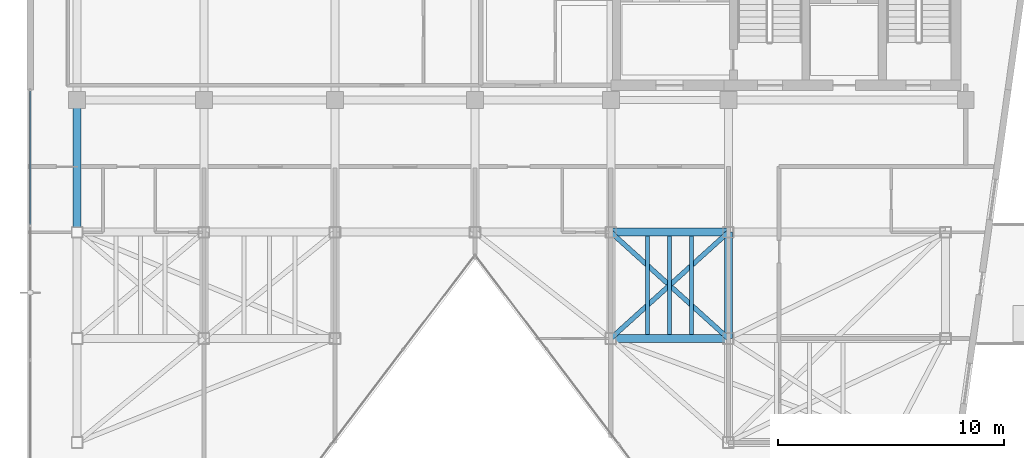
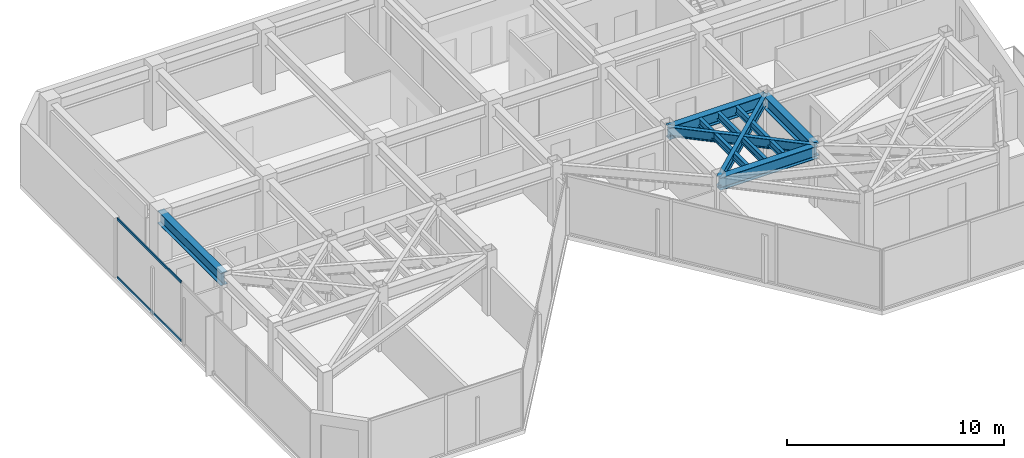
# One storey, part 11 of 19: 9 beams, 2 members, 1 element without a shape of its own.
"""IFC4 building model written with IfcOpenShell, lengths in metres."""

from ifc_helpers import new_model, si_unit, direction, frame, origin, origin_2d, place, context, subcontext, project, spatial, hollow_rectangle, i_section, extrude, material, layer, layer_set, material_profile, profile_set, type_object, element, aggregate, save


model = new_model("IFC4")

# Units and contexts
model_context = context("Model", 3, precision=1e-05, world=origin(), true_north=direction((0.0, 1.0)))
body_context = subcontext(model_context, "Body", "Model", "MODEL_VIEW")
ifc_project = project(units=[si_unit("LENGTHUNIT", "METRE"), si_unit("AREAUNIT", "SQUARE_METRE"), si_unit("VOLUMEUNIT", "CUBIC_METRE"), si_unit("PLANEANGLEUNIT", "RADIAN"), si_unit("MASSUNIT", "GRAM", prefix="KILO")], contexts=[model_context])

# Site, building, storey
site_placement = place(None, origin())
site = spatial("IfcSite", under=ifc_project, at=site_placement, CompositionType="ELEMENT")
building_placement = place(site_placement, origin())
building = spatial("IfcBuilding", under=site, at=building_placement, Name="Kravanh Interchange Tower", CompositionType="ELEMENT")
storey_placement = place(building_placement, frame((0.0, 0.0, 259.800048828125)))
storey = spatial("IfcBuildingStorey", under=building, at=storey_placement, Name="L63", CompositionType="ELEMENT", Elevation=259.800048828125)

# Curtain wall, members
ifc_material_1 = material(Name="Anodised Bronze Aluminium", Category="aluminium")
ifc_layer = layer(ifc_material_1, 0.179931640625)
ifc_layer_set = layer_set([ifc_layer], Name="Unitised Curtain Wall System CW-HTL Luxury Hotel")
curtain_wall_type = type_object("IfcCurtainWallType", Name="Unitised Curtain Wall System CW-HTL Luxury Hotel", PredefinedType="NOTDEFINED", material=ifc_layer_set)
curtain_wall_placement = place(storey_placement, origin())
curtain_wall = element("IfcCurtainWall", 1, at=curtain_wall_placement, inside=storey, type_object=curtain_wall_type, Name="L63 Unitised Curtain Wall CW-L63-01", PredefinedType="NOTDEFINED")
ifc_material_2 = material(Name="Anodised Bronze Aluminium", Category="aluminium")
ifc_material_profile_1 = material_profile(ifc_material_2, hollow_rectangle(XDim=0.06005859375, YDim=0.139892578125, WallThickness=0.00390625, at=origin_2d()), Name="ALU60X140X4")
ifc_profile_set_1 = profile_set([ifc_material_profile_1], Name="Anodised Bronze Aluminium")
member_type = type_object("IfcMemberType", Name="Curtain Wall Transom ALU60X140X4 Bronze", PredefinedType="USERDEFINED", material=ifc_profile_set_1)
member_1_placement = place(storey_placement, frame((25.1201171875, 31.8466796875, 0.030029296875), z_axis=(0.0, 1.0, 0.0), x_axis=(-1.0, 0.0, 0.0)))
member_1 = element("IfcMember", 2, at=member_1_placement, type_object=member_type, Name="CW-HTL transom 3.1", ObjectType="TRANSOM", PredefinedType="USERDEFINED", context=body_context, shape_type="SweptSolid", body=[
    extrude(hollow_rectangle(XDim=0.06005859375, YDim=0.139892578125, WallThickness=0.00390625, at=origin_2d()), origin(), (0.0, 0.0, 1.0), 5.893310546875),
])
member_2_placement = place(storey_placement, frame((25.1201171875, 31.8466796875, 3.320068359375), z_axis=(0.0, 1.0, 0.0), x_axis=(-1.0, 0.0, 0.0)))
member_2 = element("IfcMember", 3, at=member_2_placement, type_object=member_type, Name="CW-HTL transom 3.2", ObjectType="TRANSOM", PredefinedType="USERDEFINED", context=body_context, shape_type="SweptSolid", body=[
    extrude(hollow_rectangle(XDim=0.06005859375, YDim=0.139892578125, WallThickness=0.00390625, at=origin_2d()), origin(), (0.0, 0.0, 1.0), 5.893310546875),
])
aggregate(curtain_wall, [member_1, member_2])

# Beams
ifc_material_3 = material(Name="Structural Steel S355", Category="steel")
ifc_material_profile_2 = material_profile(ifc_material_3, i_section(OverallWidth=0.35498046875, OverallDepth=0.696044921875, WebThickness=0.015380859375, FlangeThickness=0.02490234375, FilletRadius=0.02392578125, at=origin_2d()), Name="W27X146")
ifc_profile_set_2 = profile_set([ifc_material_profile_2], Name="Structural Steel S355")
beam_type_1 = type_object("IfcBeamType", Name="Floor Beam W27X146 Structural Steel S355", PredefinedType="BEAM", material=ifc_profile_set_2)
beam_1_placement = place(storey_placement, frame((50.800048828125, 31.5, 3.001953125), z_axis=(1.0, 0.0, 0.0), x_axis=(0.0, 1.0, 0.0)))
element("IfcBeam", 4, at=beam_1_placement, inside=storey, type_object=beam_type_1, Name="L63 Primary Floor Girder 6", PredefinedType="BEAM", context=body_context, shape_type="SweptSolid", body=[
    extrude(i_section(OverallWidth=0.35498046875, OverallDepth=0.696044921875, WebThickness=0.015380859375, FlangeThickness=0.02490234375, FilletRadius=0.02392578125, at=origin_2d()), origin(), (0.0, 0.0, 1.0), 5.199951171875),
])
beam_2_placement = place(storey_placement, frame((56.0, 31.5, 3.001953125), z_axis=(0.0, -1.0, 0.0), x_axis=(1.0, 0.0, 0.0)))
element("IfcBeam", 5, at=beam_2_placement, inside=storey, type_object=beam_type_1, Name="L63 Primary Floor Girder 9", PredefinedType="BEAM", context=body_context, shape_type="SweptSolid", body=[
    extrude(i_section(OverallWidth=0.35498046875, OverallDepth=0.696044921875, WebThickness=0.015380859375, FlangeThickness=0.02490234375, FilletRadius=0.02392578125, at=origin_2d()), origin(), (0.0, 0.0, 1.0), 4.699951171875),
])
beam_3_placement = place(storey_placement, frame((27.199951171875, 31.5, 3.001953125), z_axis=(0.0, 1.0, 0.0), x_axis=(-1.0, 0.0, 0.0)))
element("IfcBeam", 6, at=beam_3_placement, inside=storey, type_object=beam_type_1, Name="L63 Primary Floor Girder 26", PredefinedType="BEAM", context=body_context, shape_type="SweptSolid", body=[
    extrude(i_section(OverallWidth=0.35498046875, OverallDepth=0.696044921875, WebThickness=0.015380859375, FlangeThickness=0.02490234375, FilletRadius=0.02392578125, at=origin_2d()), origin(), (0.0, 0.0, 1.0), 5.85009765625),
])
beam_4_placement = place(storey_placement, frame((50.800048828125, 26.800048828125, 3.001953125), z_axis=(1.0, 0.0, 0.0), x_axis=(0.0, 1.0, 0.0)))
element("IfcBeam", 7, at=beam_4_placement, inside=storey, type_object=beam_type_1, Name="L63 Primary Floor Girder 31", PredefinedType="BEAM", context=body_context, shape_type="SweptSolid", body=[
    extrude(i_section(OverallWidth=0.35498046875, OverallDepth=0.696044921875, WebThickness=0.015380859375, FlangeThickness=0.02490234375, FilletRadius=0.02392578125, at=origin_2d()), origin(), (0.0, 0.0, 1.0), 5.199951171875),
])
ifc_material_4 = material(Name="Structural Steel S355", Category="steel")
ifc_material_profile_3 = material_profile(ifc_material_4, i_section(OverallWidth=0.177978515625, OverallDepth=0.406005859375, WebThickness=0.0078125, FlangeThickness=0.0126953125, FilletRadius=0.01611328125, at=origin_2d()), Name="W16X40")
ifc_profile_set_3 = profile_set([ifc_material_profile_3], Name="Structural Steel S355")
beam_type_2 = type_object("IfcBeamType", Name="Floor Joist W16X40 Structural Steel S355", PredefinedType="JOIST", material=ifc_profile_set_3)
for number, where, z_axis, x_axis, name in (
    (8, (52.425048828125, 26.972412109375, 3.14697265625), (0.0, 1.0, 0.0), (-1.0, 0.0, 0.0), "L63 Secondary Floor Joist 10"),
    (9, (53.39990234375, 26.972412109375, 3.14697265625), (0.0, 1.0, 0.0), (-1.0, 0.0, 0.0), "L63 Secondary Floor Joist 11"),
    (10, (54.375, 26.972412109375, 3.14697265625), (0.0, 1.0, 0.0), (-1.0, 0.0, 0.0), "L63 Secondary Floor Joist 12"),
):
    element("IfcBeam", number, at=place(storey_placement, frame(where, z_axis=z_axis, x_axis=x_axis)), inside=storey, type_object=beam_type_2, Name=name, PredefinedType="JOIST", context=body_context, shape_type="SweptSolid", body=[
        extrude(i_section(OverallWidth=0.177978515625, OverallDepth=0.406005859375, WebThickness=0.0078125, FlangeThickness=0.0126953125, FilletRadius=0.01611328125, at=origin_2d()), origin(), (0.0, 0.0, 1.0), 4.35498046875),
    ])
ifc_material_5 = material(Name="Structural Steel S355", Category="steel")
ifc_material_profile_4 = material_profile(ifc_material_5, i_section(OverallWidth=0.2099609375, OverallDepth=0.537109375, WebThickness=0.010986328125, FlangeThickness=0.017333984375, FilletRadius=0.02001953125, at=origin_2d()), Name="W21X68")
ifc_profile_set_4 = profile_set([ifc_material_profile_4], Name="Structural Steel S355")
beam_type_3 = type_object("IfcBeamType", Name="Floor Spandrel W21X68 Structural Steel S355", PredefinedType="SPANDREL", material=ifc_profile_set_4)
for number, where, z_axis, x_axis, name in (
    (11, (50.800048828125, 31.5, 3.08154296875), (0.741874009795, -0.670539300557, 0.0), (0.670539300557, 0.741874009795, 0.0), "L63 Perimeter Spandrel 8"),
    (12, (56.0, 31.5, 3.08154296875), (-0.741874009795, -0.670539300557, 0.0), (0.670539300557, -0.741874009795, 0.0), "L63 Perimeter Spandrel 11"),
):
    element("IfcBeam", number, at=place(storey_placement, frame(where, z_axis=z_axis, x_axis=x_axis)), inside=storey, type_object=beam_type_3, Name=name, PredefinedType="SPANDREL", context=body_context, shape_type="SweptSolid", body=[
        extrude(i_section(OverallWidth=0.2099609375, OverallDepth=0.537109375, WebThickness=0.010986328125, FlangeThickness=0.017333984375, FilletRadius=0.02001953125, at=origin_2d()), origin(), (0.0, 0.0, 1.0), 7.00927734375),
    ])

save(model, "model.ifc")
